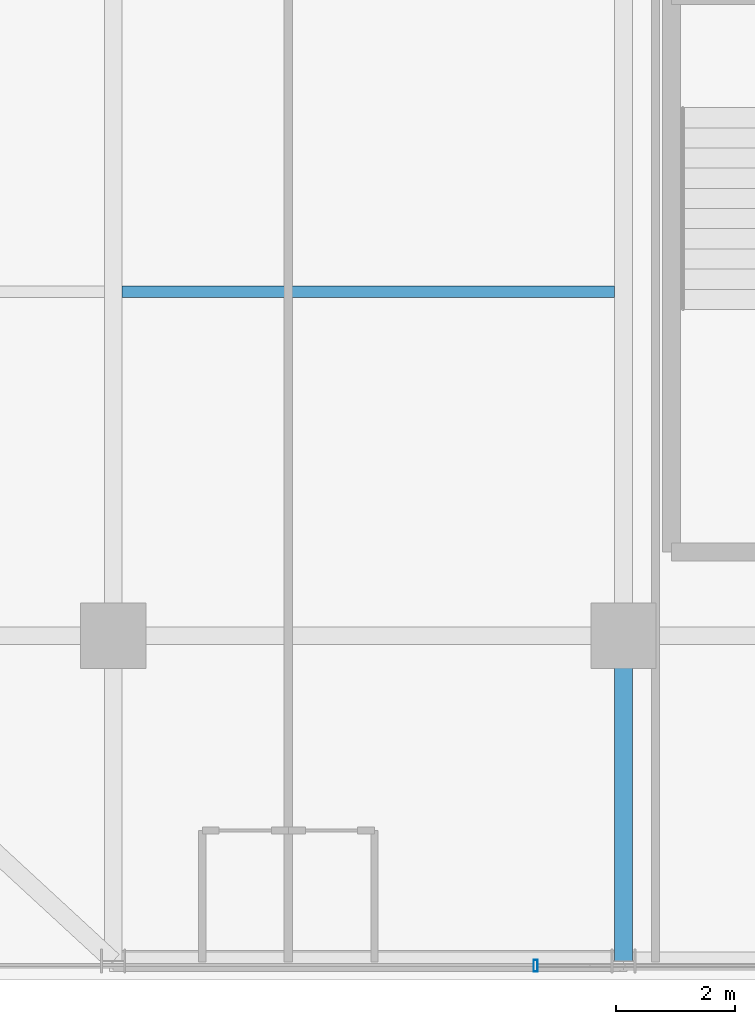
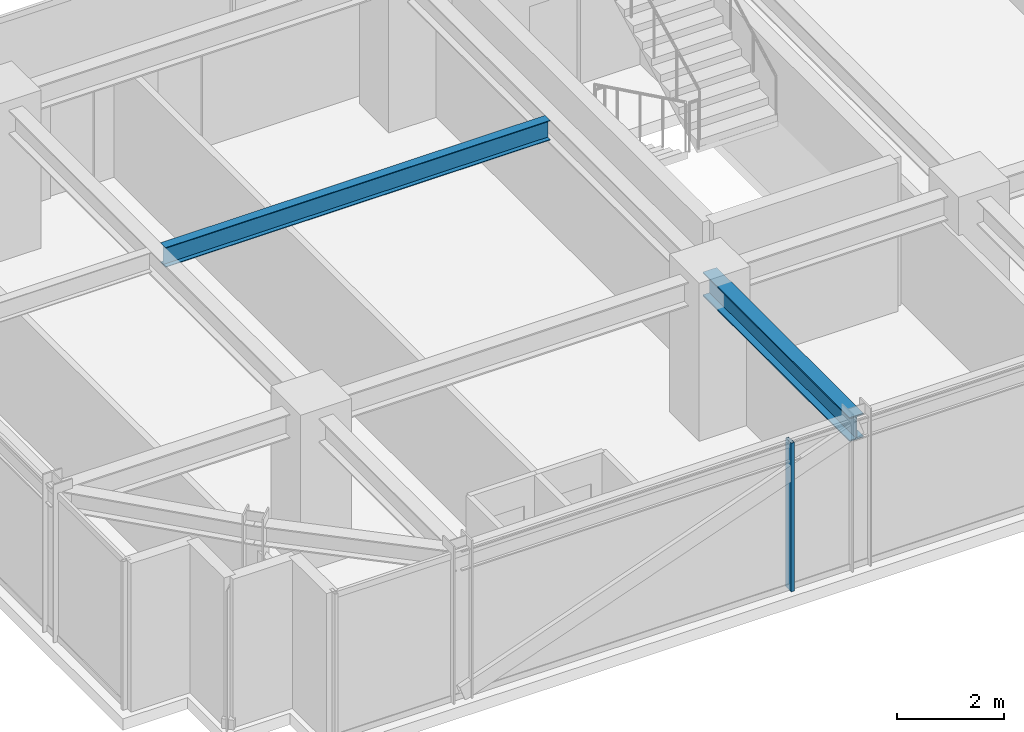
# One storey, part 5 of 43: 2 beams, 1 member, 1 element without a shape of its own.
"""IFC4 building model written with IfcOpenShell, lengths in metres."""

from ifc_helpers import new_model, si_unit, direction, frame, origin, origin_2d, place, context, subcontext, project, spatial, hollow_rectangle, i_section, extrude, source, transform, mapped, material, material_profile, profile_set, type_object, element, aggregate, save


model = new_model("IFC4")

# Units and contexts
model_context = context("Model", 3, precision=1e-05, world=origin(), true_north=direction((0.0, 1.0)))
body_context = subcontext(model_context, "Body", "Model", "MODEL_VIEW")
ifc_project = project(units=[si_unit("LENGTHUNIT", "METRE"), si_unit("AREAUNIT", "SQUARE_METRE"), si_unit("VOLUMEUNIT", "CUBIC_METRE"), si_unit("PLANEANGLEUNIT", "RADIAN"), si_unit("MASSUNIT", "GRAM", prefix="KILO")], contexts=[model_context])

# Site, building, storey
site_placement = place(None, origin())
site = spatial("IfcSite", under=ifc_project, at=site_placement, CompositionType="ELEMENT")
building_placement = place(site_placement, origin())
building = spatial("IfcBuilding", under=site, at=building_placement, Name="Nahalor Promenade Grand Hotel", CompositionType="ELEMENT")
storey_placement = place(building_placement, frame((0.0, 0.0, 181.85009765625)))
storey = spatial("IfcBuildingStorey", under=building, at=storey_placement, Name="L46", CompositionType="ELEMENT", Elevation=181.85009765625)

# Beams
ifc_material_1 = material(Name="Steel S355JR", Category="steel")
ifc_material_profile_1 = material_profile(ifc_material_1, i_section(OverallWidth=0.19, OverallDepth=0.45, WebThickness=0.0094, FlangeThickness=0.0146, at=origin_2d()), Name="IPE 450")
ifc_profile_set_1 = profile_set([ifc_material_profile_1], Name="Steel S355JR")
beam_type_1 = type_object("IfcBeamType", Name="Beam-Joist-IPE450", PredefinedType="JOIST", material=ifc_profile_set_1)
shared_shape_1 = source(origin(), body_context, "Body", "SweptSolid", [
    extrude(i_section(OverallWidth=0.19, OverallDepth=0.45, WebThickness=0.0094, FlangeThickness=0.0146, at=origin_2d()), origin(), (0.0, 0.0, 1.0), 8.300048828125),
])
beam_1_placement = place(storey_placement, frame((-16.85009765625, -11.199951171875, 3.164794921875), z_axis=(1.0, 0.0, 0.0), x_axis=(0.0, 1.0, 0.0)))
element("IfcBeam", 1, at=beam_1_placement, inside=storey, type_object=beam_type_1, Name="BM-L46-JSW-0-1", PredefinedType="JOIST", context=body_context, shape_type="MappedRepresentation", body=[
    mapped(shared_shape_1, transform((0.0, 0.0, 0.0), scale=1.0)),
])
ifc_material_profile_2 = material_profile(ifc_material_1, i_section(OverallWidth=0.3, OverallDepth=0.55, WebThickness=0.015, FlangeThickness=0.029, at=origin_2d()), Name="HEB 550")
ifc_profile_set_2 = profile_set([ifc_material_profile_2], Name="Steel S355JR")
beam_type_2 = type_object("IfcBeamType", Name="Beam-Girder-HEB550", PredefinedType="BEAM", material=ifc_profile_set_2)
shared_shape_2 = source(origin(), body_context, "Body", "SweptSolid", [
    extrude(i_section(OverallWidth=0.3, OverallDepth=0.55, WebThickness=0.015, FlangeThickness=0.029, at=origin_2d()), origin(), (0.0, 0.0, 1.0), 5.47998046875),
])
beam_2_placement = place(storey_placement, frame((-8.39990234375, -22.47998046875, 3.114990234375), z_axis=(0.0, 1.0, 0.0), x_axis=(-1.0, 0.0, 0.0)))
element("IfcBeam", 2, at=beam_2_placement, inside=storey, type_object=beam_type_2, Name="BM-L46-GY-1-0", PredefinedType="BEAM", context=body_context, shape_type="MappedRepresentation", body=[
    mapped(shared_shape_2, transform((0.0, 0.0, 0.0), scale=1.0)),
])

# Curtain wall, member
ifc_material_2 = material(Name="Anodised Bronze Aluminium EN AW-6063 T6", Category="aluminium")
curtain_wall_type = type_object("IfcCurtainWallType", Name="CW3 Elliptical-Void Collar Unitised Curtain Wall", PredefinedType="USERDEFINED", material=ifc_material_2)
curtain_wall_placement = place(storey_placement, origin())
curtain_wall = element("IfcCurtainWall", 3, at=curtain_wall_placement, inside=storey, type_object=curtain_wall_type, Name="L46 Curtain Wall CW-L46-S-1", ObjectType="UNITISED_CURTAIN_WALL", PredefinedType="USERDEFINED")
ifc_material_profile_3 = material_profile(ifc_material_2, hollow_rectangle(XDim=0.07, YDim=0.2, WallThickness=0.005, at=origin_2d()), Name="CWM 70x200x5")
ifc_profile_set_3 = profile_set([ifc_material_profile_3], Name="Anodised Bronze Aluminium EN AW-6063 T6")
member_type = type_object("IfcMemberType", Name="CWM3 Void Collar Mullion 70x200", PredefinedType="MULLION", material=ifc_profile_set_3)
shared_shape_3 = source(origin(), body_context, "Body", "SweptSolid", [
    extrude(hollow_rectangle(XDim=0.07, YDim=0.2, WallThickness=0.005, at=origin_2d()), origin(), (0.0, 0.0, 1.0), 3.389892578125),
])
member_placement = place(storey_placement, frame((-9.8798828125, -22.56005859375, 0.0), z_axis=(0.0, 0.0, 1.0), x_axis=(1.0, 0.0, 0.0)))
member = element("IfcMember", 4, at=member_placement, type_object=member_type, Name="CW-L46-S-1 Mullion 1", PredefinedType="MULLION", context=body_context, shape_type="MappedRepresentation", body=[
    mapped(shared_shape_3, transform((0.0, 0.0, 0.0), scale=1.0)),
])
aggregate(curtain_wall, [member])

save(model, "model.ifc")
